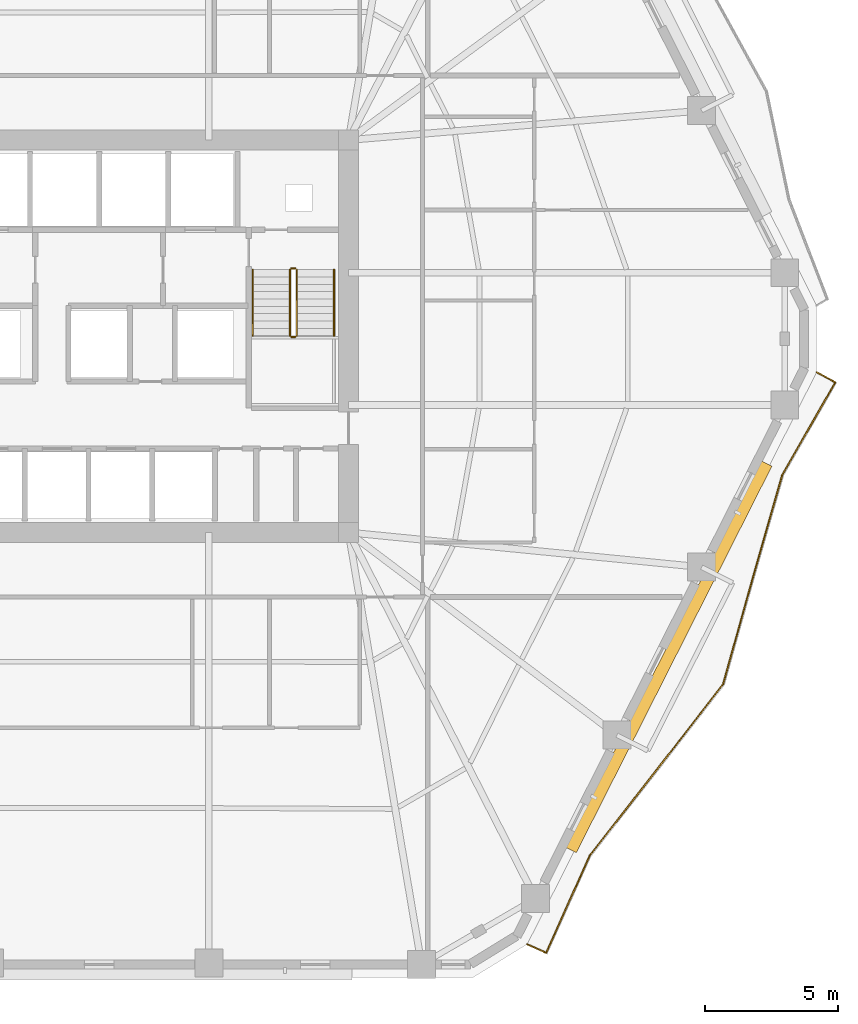
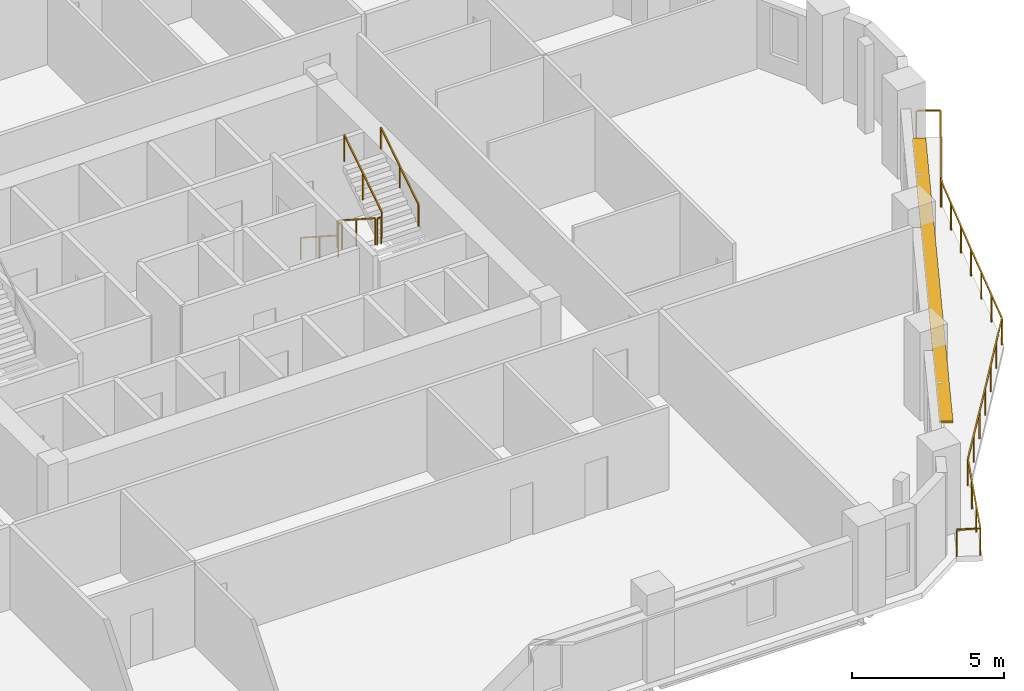
# One storey, part 12 of 13: 7 railings, 1 shading device.
"""IFC4 building model written with IfcOpenShell, lengths in metres."""

from ifc_helpers import new_model, si_unit, direction, frame, origin, origin_2d, place, context, subcontext, project, spatial, rectangle, extrude, material, layer, layer_set, type_object, element, save


model = new_model("IFC4")

# Units and contexts
model_context = context("Model", 3, precision=1e-05, world=origin(), true_north=direction((0.0, 1.0)))
body_context = subcontext(model_context, "Body", "Model", "MODEL_VIEW")
ifc_project = project(units=[si_unit("LENGTHUNIT", "METRE"), si_unit("AREAUNIT", "SQUARE_METRE"), si_unit("VOLUMEUNIT", "CUBIC_METRE"), si_unit("PLANEANGLEUNIT", "RADIAN"), si_unit("MASSUNIT", "GRAM", prefix="KILO")], contexts=[model_context])

# Site, building, storey
site_placement = place(None, origin())
site = spatial("IfcSite", under=ifc_project, at=site_placement, CompositionType="ELEMENT")
building_placement = place(site_placement, origin())
building = spatial("IfcBuilding", under=site, at=building_placement, Name="Cinnabar Lancet Tower", CompositionType="ELEMENT")
storey_placement = place(building_placement, frame((0.0, 0.0, 80.0)))
storey = spatial("IfcBuildingStorey", under=building, at=storey_placement, Name="L20", CompositionType="ELEMENT", Elevation=80.0)

# Railing
ifc_material_1 = material(Name="Laminated safety glass and bronze stainless steel balustrade", Category="steel")
railing_type_1 = type_object("IfcRailingType", Name="ENV-RLG-BAL-1100", PredefinedType="BALUSTRADE", material=ifc_material_1)
railing_1_placement = place(storey_placement, frame((48.488037109375, 3.049072265625, 0.0)))
element("IfcRailing", 1, at=railing_1_placement, inside=storey, type_object=railing_type_1, Name="L20 Face 2 Wave Balcony Balustrade", PredefinedType="BALUSTRADE", context=body_context, shape_type="SweptSolid", body=[
    extrude(rectangle(XDim=0.048095703125, YDim=0.048095703125, at=origin_2d()), frame((0.0, 0.0, 1.076171875), z_axis=(0.910142488395, -0.414295366639, 0.0), x_axis=(0.414295366639, 0.910142488395, 0.0)), (0.0, 0.0, 1.0), 0.784423828125),
    extrude(rectangle(XDim=0.048095703125, YDim=0.048095703125, at=origin_2d()), frame((0.7138671875, -0.324951171875, 1.076171875), z_axis=(0.408564866212, 0.912729286315, 0.0), x_axis=(-0.912729286315, 0.408564866212, 0.0)), (0.0, 0.0, 1.0), 4.011962890625),
    extrude(rectangle(XDim=0.048095703125, YDim=0.048095703125, at=origin_2d()), frame((2.35302734375, 3.3369140625, 1.076171875), z_axis=(0.616032591291, 0.787720665254, 0.0), x_axis=(-0.787720665254, 0.616032591291, 0.0)), (0.0, 0.0, 1.0), 4.083984375),
    extrude(rectangle(XDim=0.048095703125, YDim=0.048095703125, at=origin_2d()), frame((4.868896484375, 6.553955078125, 1.076171875), z_axis=(0.61223597077, 0.790675101477, 0.0), x_axis=(-0.790675101477, 0.61223597077, 0.0)), (0.0, 0.0, 1.0), 4.07861328125),
    extrude(rectangle(XDim=0.048095703125, YDim=0.048095703125, at=origin_2d()), frame((7.365966796875, 9.77880859375, 1.076171875), z_axis=(0.268580995951, 0.963257104108, 0.0), x_axis=(-0.963257104108, 0.268580995951, 0.0)), (0.0, 0.0, 1.0), 4.084228515625),
    extrude(rectangle(XDim=0.048095703125, YDim=0.048095703125, at=origin_2d()), frame((8.462890625, 13.712890625, 1.076171875), z_axis=(0.275274340939, 0.961365714606, 0.0), x_axis=(-0.961365714606, 0.275274340939, 0.0)), (0.0, 0.0, 1.0), 4.079833984375),
    extrude(rectangle(XDim=0.048095703125, YDim=0.048095703125, at=origin_2d()), frame((9.5859375, 17.635009765625, 1.076171875), z_axis=(0.496564905636, 0.8679995936, 0.0), x_axis=(-0.8679995936, 0.496564905636, 0.0)), (0.0, 0.0, 1.0), 4.011474609375),
    extrude(rectangle(XDim=0.048095703125, YDim=0.048095703125, at=origin_2d()), frame((11.577880859375, 21.116943359375, 1.076171875), z_axis=(-0.875626816758, 0.482988279128, 0.0), x_axis=(-0.482988279128, -0.875626816758, 0.0)), (0.0, 0.0, 1.0), 0.797119140625),
    extrude(rectangle(XDim=0.0419921875, YDim=0.0419921875, at=origin_2d()), origin(), (0.0, 0.0, 1.0), 1.052001953125),
    extrude(rectangle(XDim=0.0419921875, YDim=0.0419921875, at=origin_2d()), frame((0.7138671875, -0.324951171875, 0.0)), (0.0, 0.0, 1.0), 1.052001953125),
    extrude(rectangle(XDim=0.0419921875, YDim=0.0419921875, at=origin_2d()), frame((1.26025390625, 0.895751953125, 0.0)), (0.0, 0.0, 1.0), 1.052001953125),
    extrude(rectangle(XDim=0.0419921875, YDim=0.0419921875, at=origin_2d()), frame((1.806640625, 2.1162109375, 0.0)), (0.0, 0.0, 1.0), 1.052001953125),
    extrude(rectangle(XDim=0.0419921875, YDim=0.0419921875, at=origin_2d()), frame((2.35302734375, 3.3369140625, 0.0)), (0.0, 0.0, 1.0), 1.052001953125),
    extrude(rectangle(XDim=0.0419921875, YDim=0.0419921875, at=origin_2d()), frame((3.191650390625, 4.4091796875, 0.0)), (0.0, 0.0, 1.0), 1.052001953125),
    extrude(rectangle(XDim=0.0419921875, YDim=0.0419921875, at=origin_2d()), frame((4.0302734375, 5.481689453125, 0.0)), (0.0, 0.0, 1.0), 1.052001953125),
    extrude(rectangle(XDim=0.0419921875, YDim=0.0419921875, at=origin_2d()), frame((4.868896484375, 6.553955078125, 0.0)), (0.0, 0.0, 1.0), 1.052001953125),
    extrude(rectangle(XDim=0.0419921875, YDim=0.0419921875, at=origin_2d()), frame((5.701171875, 7.62890625, 0.0)), (0.0, 0.0, 1.0), 1.052001953125),
    extrude(rectangle(XDim=0.0419921875, YDim=0.0419921875, at=origin_2d()), frame((6.53369140625, 8.703857421875, 0.0)), (0.0, 0.0, 1.0), 1.052001953125),
    extrude(rectangle(XDim=0.0419921875, YDim=0.0419921875, at=origin_2d()), frame((7.365966796875, 9.77880859375, 0.0)), (0.0, 0.0, 1.0), 1.052001953125),
    extrude(rectangle(XDim=0.0419921875, YDim=0.0419921875, at=origin_2d()), frame((7.731689453125, 11.090087890625, 0.0)), (0.0, 0.0, 1.0), 1.052001953125),
    extrude(rectangle(XDim=0.0419921875, YDim=0.0419921875, at=origin_2d()), frame((8.09716796875, 12.401611328125, 0.0)), (0.0, 0.0, 1.0), 1.052001953125),
    extrude(rectangle(XDim=0.0419921875, YDim=0.0419921875, at=origin_2d()), frame((8.462890625, 13.712890625, 0.0)), (0.0, 0.0, 1.0), 1.052001953125),
    extrude(rectangle(XDim=0.0419921875, YDim=0.0419921875, at=origin_2d()), frame((8.837158203125, 15.020263671875, 0.0)), (0.0, 0.0, 1.0), 1.052001953125),
    extrude(rectangle(XDim=0.0419921875, YDim=0.0419921875, at=origin_2d()), frame((9.211669921875, 16.32763671875, 0.0)), (0.0, 0.0, 1.0), 1.052001953125),
    extrude(rectangle(XDim=0.0419921875, YDim=0.0419921875, at=origin_2d()), frame((9.5859375, 17.635009765625, 0.0)), (0.0, 0.0, 1.0), 1.052001953125),
    extrude(rectangle(XDim=0.0419921875, YDim=0.0419921875, at=origin_2d()), frame((10.25, 18.795654296875, 0.0)), (0.0, 0.0, 1.0), 1.052001953125),
    extrude(rectangle(XDim=0.0419921875, YDim=0.0419921875, at=origin_2d()), frame((10.913818359375, 19.956298828125, 0.0)), (0.0, 0.0, 1.0), 1.052001953125),
    extrude(rectangle(XDim=0.0419921875, YDim=0.0419921875, at=origin_2d()), frame((11.577880859375, 21.116943359375, 0.0)), (0.0, 0.0, 1.0), 1.052001953125),
    extrude(rectangle(XDim=0.0419921875, YDim=0.0419921875, at=origin_2d()), frame((10.8798828125, 21.501953125, 0.0)), (0.0, 0.0, 1.0), 1.052001953125),
])

# Shading device
ifc_material_2 = material(Name="Pale limestone architectural aluminium sunshade", Category="masonry")
ifc_layer = layer(ifc_material_2, 0.080078125)
ifc_layer_set = layer_set([ifc_layer], Name="Pale limestone architectural aluminium sunshade")
shading_device_type = type_object("IfcShadingDeviceType", Name="ENV-SHD-LVR-450", PredefinedType="JALOUSIE", material=ifc_layer_set)
shading_device_placement = place(storey_placement, frame((53.81005859375, 13.85595703125, 2.639892578125), z_axis=(0.0, 0.0, 1.0), x_axis=(0.451500573218, 0.892270829056, 0.0)))
element("IfcShadingDevice", 2, at=shading_device_placement, inside=storey, type_object=shading_device_type, Name="L20 Face 2 Horizontal Sunshade Canopy", PredefinedType="JALOUSIE", context=body_context, shape_type="SweptSolid", body=[
    extrude(rectangle(XDim=16.279052734375, YDim=0.449951171875, at=origin_2d()), origin(), (0.0, 0.0, 1.0), 0.080078125),
])

# Railings
ifc_material_3 = material(Name="Painted galvanized steel balustrade", Category="steel")
railing_type_2 = type_object("IfcRailingType", Name="GUARD-STAIR", PredefinedType="GUARDRAIL", material=ifc_material_3)
railing_2_placement = place(storey_placement, frame((39.574951171875, 28.39990234375, 0.177490234375)))
element("IfcRailing", 3, at=railing_2_placement, inside=storey, type_object=railing_type_2, Name="L20 ST-2 stair guard 1", PredefinedType="GUARDRAIL", context=body_context, shape_type="SweptSolid", body=[
    extrude(rectangle(XDim=0.048095703125, YDim=0.048095703125, at=origin_2d()), frame((0.0, 0.0, 1.076171875), z_axis=(0.0, -0.840183358697, 0.542302428327), x_axis=(1.0, 0.0, 0.0)), (0.0, 0.0, 1.0), 2.945556640625),
    extrude(rectangle(XDim=0.0419921875, YDim=0.0419921875, at=origin_2d()), origin(), (0.0, 0.0, 1.0), 1.052001953125),
    extrude(rectangle(XDim=0.0419921875, YDim=0.0419921875, at=origin_2d()), frame((0.0, -1.2373046875, 0.798828125)), (0.0, 0.0, 1.0), 1.052001953125),
    extrude(rectangle(XDim=0.0419921875, YDim=0.0419921875, at=origin_2d()), frame((0.0, -2.474853515625, 1.597412109375)), (0.0, 0.0, 1.0), 1.052001953125),
])
railing_3_placement = place(storey_placement, frame((39.625, 25.875, 1.77490234375)))
element("IfcRailing", 4, at=railing_3_placement, inside=storey, type_object=railing_type_2, Name="L20 ST-2 stair guard 2", PredefinedType="GUARDRAIL", context=body_context, shape_type="SweptSolid", body=[
    extrude(rectangle(XDim=0.048095703125, YDim=0.048095703125, at=origin_2d()), frame((0.0, 0.0, 1.076171875), z_axis=(1.0, 0.0, 0.0), x_axis=(0.0, 1.0, 0.0)), (0.0, 0.0, 1.0), 0.14990234375),
    extrude(rectangle(XDim=0.0419921875, YDim=0.0419921875, at=origin_2d()), origin(), (0.0, 0.0, 1.0), 1.052001953125),
    extrude(rectangle(XDim=0.0419921875, YDim=0.0419921875, at=origin_2d()), frame((0.14990234375, 0.0, 0.0)), (0.0, 0.0, 1.0), 1.052001953125),
])
railing_4_placement = place(storey_placement, frame((39.824951171875, 25.925048828125, 1.952392578125)))
element("IfcRailing", 5, at=railing_4_placement, inside=storey, type_object=railing_type_2, Name="L20 ST-2 stair guard 3", PredefinedType="GUARDRAIL", context=body_context, shape_type="SweptSolid", body=[
    extrude(rectangle(XDim=0.048095703125, YDim=0.048095703125, at=origin_2d()), frame((0.0, 0.0, 1.076171875), z_axis=(0.0, 0.84014559416, 0.542360932049), x_axis=(-1.0, 0.0, 0.0)), (0.0, 0.0, 1.0), 2.94580078125),
    extrude(rectangle(XDim=0.0419921875, YDim=0.0419921875, at=origin_2d()), origin(), (0.0, 0.0, 1.0), 1.052001953125),
    extrude(rectangle(XDim=0.0419921875, YDim=0.0419921875, at=origin_2d()), frame((0.0, 1.2373046875, 0.798828125)), (0.0, 0.0, 1.0), 1.052001953125),
    extrude(rectangle(XDim=0.0419921875, YDim=0.0419921875, at=origin_2d()), frame((0.0, 2.474853515625, 1.59765625)), (0.0, 0.0, 1.0), 1.052001953125),
])
railing_5_placement = place(storey_placement, frame((39.625, 28.449951171875, 0.0)))
element("IfcRailing", 6, at=railing_5_placement, inside=storey, type_object=railing_type_2, Name="L20 ST-2 stair guard 4", PredefinedType="GUARDRAIL", context=body_context, shape_type="SweptSolid", body=[
    extrude(rectangle(XDim=0.048095703125, YDim=0.048095703125, at=origin_2d()), frame((0.0, 0.0, 1.076171875), z_axis=(1.0, 0.0, 0.0), x_axis=(0.0, 1.0, 0.0)), (0.0, 0.0, 1.0), 0.14990234375),
    extrude(rectangle(XDim=0.0419921875, YDim=0.0419921875, at=origin_2d()), origin(), (0.0, 0.0, 1.0), 1.052001953125),
    extrude(rectangle(XDim=0.0419921875, YDim=0.0419921875, at=origin_2d()), frame((0.14990234375, 0.0, 0.0)), (0.0, 0.0, 1.0), 1.052001953125),
])
ifc_material_4 = material(Name="Brushed stainless steel handrail", Category="steel")
railing_type_3 = type_object("IfcRailingType", Name="HANDRAIL-STAIR", PredefinedType="HANDRAIL", material=ifc_material_4)
railing_6_placement = place(storey_placement, frame((38.175048828125, 28.39990234375, 0.177490234375)))
element("IfcRailing", 7, at=railing_6_placement, inside=storey, type_object=railing_type_3, Name="L20 ST-2 stair handrail 1", PredefinedType="HANDRAIL", context=body_context, shape_type="SweptSolid", body=[
    extrude(rectangle(XDim=0.048095703125, YDim=0.048095703125, at=origin_2d()), frame((0.0, 0.0, 0.8759765625), z_axis=(0.0, -0.840183358697, 0.542302428327), x_axis=(1.0, 0.0, 0.0)), (0.0, 0.0, 1.0), 2.945556640625),
    extrude(rectangle(XDim=0.0419921875, YDim=0.0419921875, at=origin_2d()), origin(), (0.0, 0.0, 1.0), 0.851806640625),
    extrude(rectangle(XDim=0.0419921875, YDim=0.0419921875, at=origin_2d()), frame((0.0, -1.2373046875, 0.798828125)), (0.0, 0.0, 1.0), 0.851806640625),
    extrude(rectangle(XDim=0.0419921875, YDim=0.0419921875, at=origin_2d()), frame((0.0, -2.474853515625, 1.597412109375)), (0.0, 0.0, 1.0), 0.851806640625),
])
railing_7_placement = place(storey_placement, frame((41.22509765625, 25.925048828125, 1.952392578125)))
element("IfcRailing", 8, at=railing_7_placement, inside=storey, type_object=railing_type_3, Name="L20 ST-2 stair handrail 2", PredefinedType="HANDRAIL", context=body_context, shape_type="SweptSolid", body=[
    extrude(rectangle(XDim=0.048095703125, YDim=0.048095703125, at=origin_2d()), frame((0.0, 0.0, 0.8759765625), z_axis=(0.0, 0.84014559416, 0.542360932049), x_axis=(-1.0, 0.0, 0.0)), (0.0, 0.0, 1.0), 2.94580078125),
    extrude(rectangle(XDim=0.0419921875, YDim=0.0419921875, at=origin_2d()), origin(), (0.0, 0.0, 1.0), 0.851806640625),
    extrude(rectangle(XDim=0.0419921875, YDim=0.0419921875, at=origin_2d()), frame((0.0, 1.2373046875, 0.798828125)), (0.0, 0.0, 1.0), 0.851806640625),
    extrude(rectangle(XDim=0.0419921875, YDim=0.0419921875, at=origin_2d()), frame((0.0, 2.474853515625, 1.59765625)), (0.0, 0.0, 1.0), 0.851806640625),
])

save(model, "model.ifc")
